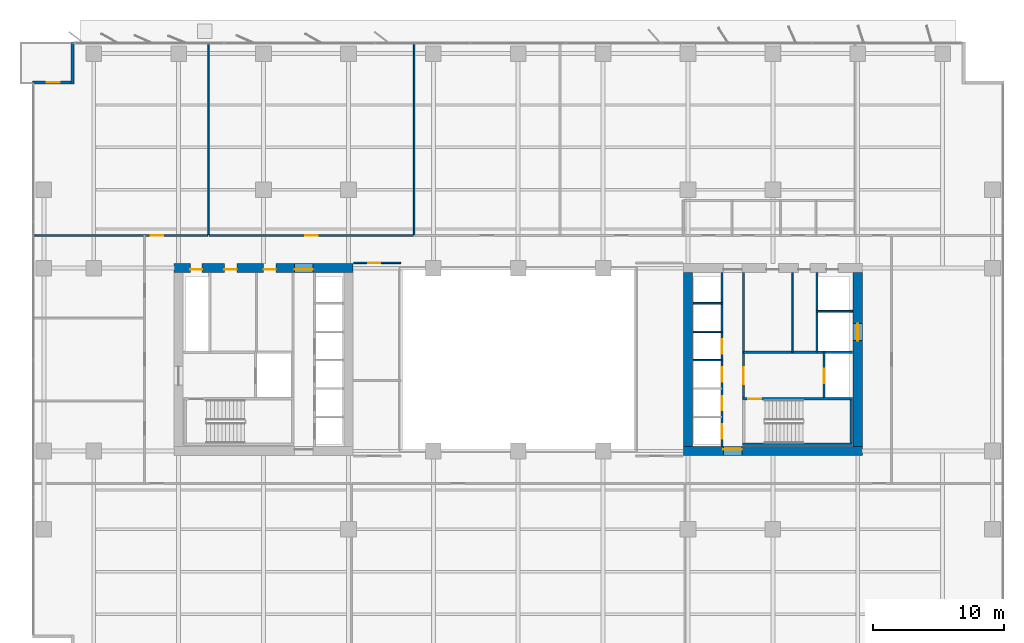
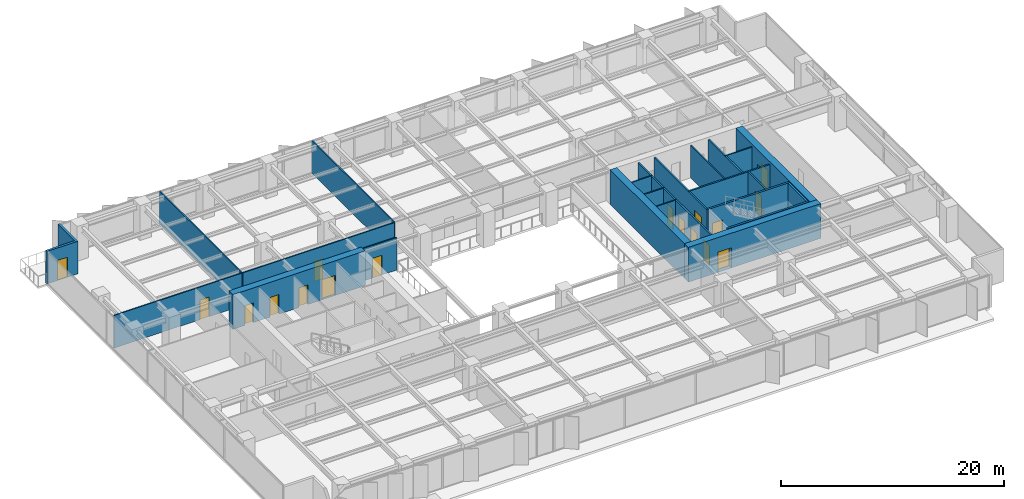
# One storey, part 14 of 19: 24 walls, 17 doors, 17 openings.
"""IFC4 building model written with IfcOpenShell, lengths in metres."""

from ifc_helpers import new_model, si_unit, direction, frame, frame_2d, origin, place, context, subcontext, project, spatial, rectangle, extrude, material, layer, layer_set, type_object, element, fill, save


model = new_model("IFC4")

# Units and contexts
model_context = context("Model", 3, precision=1e-05, world=origin(), true_north=direction((0.0, 1.0)))
body_context = subcontext(model_context, "Body", "Model", "MODEL_VIEW")
ifc_project = project(units=[si_unit("LENGTHUNIT", "METRE"), si_unit("AREAUNIT", "SQUARE_METRE"), si_unit("VOLUMEUNIT", "CUBIC_METRE"), si_unit("PLANEANGLEUNIT", "RADIAN"), si_unit("MASSUNIT", "GRAM", prefix="KILO")], contexts=[model_context])

# Site, building, storey
site_placement = place(None, origin())
site = spatial("IfcSite", under=ifc_project, at=site_placement, CompositionType="ELEMENT")
building_placement = place(site_placement, origin())
building = spatial("IfcBuilding", under=site, at=building_placement, Name="Putna Gate Headquarters", CompositionType="ELEMENT")
storey_placement = place(building_placement, frame((0.0, 0.0, 86.0)))
storey = spatial("IfcBuildingStorey", under=building, at=storey_placement, Name="L20", CompositionType="ELEMENT", Elevation=86.0)

# Wall, openings, doors
ifc_material_1 = material(Name="Concrete C60/75", Category="concrete")
ifc_layer_1 = layer(ifc_material_1, 0.699951171875)
ifc_layer_set_1 = layer_set([ifc_layer_1], Name="Concrete C60/75")
wall_type_1 = type_object("IfcWallType", Name="WALL-CORE-700", PredefinedType="SHEAR", material=ifc_layer_set_1)
wall_1_placement = place(storey_placement, frame((12.64990234375, 33.0, 0.0), z_axis=(0.0, 0.0, 1.0), x_axis=(1.0, 0.0, 0.0)))
wall_1 = element("IfcWall", 1, at=wall_1_placement, inside=storey, type_object=wall_type_1, Name="L20 WC Split Core Shear Wall N", PredefinedType="SHEAR", context=body_context, shape_type="SweptSolid", body=[
    extrude(rectangle(XDim=13.7001953125, YDim=0.699951171875, at=frame_2d((6.85009765625, 0.0))), origin(), (0.0, 0.0, 1.0), 3.800048828125),
])
opening_1_placement = place(wall_1_placement, frame((1.25, 0.0, 0.0)))
opening_1 = element("IfcOpeningElement", 2, at=opening_1_placement, cuts=wall_1, Name="Opening RD-90", PredefinedType="OPENING", context=body_context, shape_type="SweptSolid", body=[
    extrude(rectangle(XDim=0.89990234375, YDim=2.14990234375, at=frame_2d((0.449951171875, 1.074951171875))), frame((0.0, 0.35986328125, 0.0), z_axis=(0.0, -1.0, 0.0), x_axis=(1.0, 0.0, 0.0)), (0.0, 0.0, 1.0), 0.719970703125),
])
opening_2_placement = place(wall_1_placement, frame((3.85009765625, 0.0, 0.0)))
opening_2 = element("IfcOpeningElement", 3, at=opening_2_placement, cuts=wall_1, Name="Opening IDS-95", PredefinedType="OPENING", context=body_context, shape_type="SweptSolid", body=[
    extrude(rectangle(XDim=0.949951171875, YDim=2.14990234375, at=frame_2d((0.47509765625, 1.074951171875))), frame((0.0, 0.35986328125, 0.0), z_axis=(0.0, -1.0, 0.0), x_axis=(1.0, 0.0, 0.0)), (0.0, 0.0, 1.0), 0.719970703125),
])
opening_3_placement = place(wall_1_placement, frame((6.85009765625, 0.0, 0.0)))
opening_3 = element("IfcOpeningElement", 4, at=opening_3_placement, cuts=wall_1, Name="Opening IDS-95", PredefinedType="OPENING", context=body_context, shape_type="SweptSolid", body=[
    extrude(rectangle(XDim=0.949951171875, YDim=2.14990234375, at=frame_2d((0.47509765625, 1.074951171875))), frame((0.0, 0.35986328125, 0.0), z_axis=(0.0, -1.0, 0.0), x_axis=(1.0, 0.0, 0.0)), (0.0, 0.0, 1.0), 0.719970703125),
])
opening_4_placement = place(wall_1_placement, frame((9.22998046875, 0.0, 0.0)))
opening_4 = element("IfcOpeningElement", 5, at=opening_4_placement, cuts=wall_1, Name="Opening FDD-140", PredefinedType="OPENING", context=body_context, shape_type="SweptSolid", body=[
    extrude(rectangle(XDim=1.39990234375, YDim=2.199951171875, at=frame_2d((0.699951171875, 1.10009765625))), frame((0.0, 0.35986328125, 0.0), z_axis=(0.0, -1.0, 0.0), x_axis=(1.0, 0.0, 0.0)), (0.0, 0.0, 1.0), 0.719970703125),
])
ifc_material_2 = material(Name="Double steel fire door", Category="steel")
door_type_1 = type_object("IfcDoorType", Name="DOOR-FIRE-DBL-1400", OperationType="DOUBLE_DOOR_SINGLE_SWING", PredefinedType="DOOR", material=ifc_material_2)
door_1_placement = place(opening_4_placement, origin())
door_1 = element("IfcDoor", 6, at=door_1_placement, inside=storey, type_object=door_type_1, Name="L20 West Lift Lobby North Door", OperationType="DOUBLE_DOOR_SINGLE_SWING", OverallHeight=2.199951171875, OverallWidth=1.39990234375, PredefinedType="DOOR", context=body_context, shape_type="SweptSolid", body=[
    extrude(rectangle(XDim=1.39990234375, YDim=2.199951171875, at=frame_2d((0.699951171875, 1.10009765625))), frame((0.0, -0.0751953125, 0.0), z_axis=(0.0, -1.0, 0.0), x_axis=(1.0, 0.0, 0.0)), (0.0, 0.0, 1.0), 0.050048828125),
])
fill(opening_4, door_1)
ifc_material_3 = material(Name="Fire-rated service timber door", Category="wood")
door_type_2 = type_object("IfcDoorType", Name="DOOR-INT-950", OperationType="NOTDEFINED", PredefinedType="DOOR", material=ifc_material_3)
door_2_placement = place(opening_2_placement, origin())
door_2 = element("IfcDoor", 7, at=door_2_placement, inside=storey, type_object=door_type_2, Name="L20 Cleaner Store Door", OperationType="SINGLE_SWING_LEFT", OverallHeight=2.14990234375, OverallWidth=0.949951171875, PredefinedType="DOOR", context=body_context, shape_type="SweptSolid", body=[
    extrude(rectangle(XDim=0.949951171875, YDim=2.14990234375, at=frame_2d((0.47509765625, 1.074951171875))), frame((0.0, -0.0751953125, 0.0), z_axis=(0.0, -1.0, 0.0), x_axis=(1.0, 0.0, 0.0)), (0.0, 0.0, 1.0), 0.050048828125),
])
fill(opening_2, door_2)
door_3_placement = place(opening_3_placement, origin())
door_3 = element("IfcDoor", 8, at=door_3_placement, inside=storey, type_object=door_type_2, Name="L20 Comms Plant Door", OperationType="SINGLE_SWING_RIGHT", OverallHeight=2.14990234375, OverallWidth=0.949951171875, PredefinedType="DOOR", context=body_context, shape_type="SweptSolid", body=[
    extrude(rectangle(XDim=0.949951171875, YDim=2.14990234375, at=frame_2d((0.47509765625, 1.074951171875))), frame((0.0, -0.0751953125, 0.0), z_axis=(0.0, -1.0, 0.0), x_axis=(1.0, 0.0, 0.0)), (0.0, 0.0, 1.0), 0.050048828125),
])
fill(opening_3, door_3)
ifc_material_4 = material(Name="Steel riser access fire door", Category="steel")
door_type_3 = type_object("IfcDoorType", Name="DOOR-RISER-900", OperationType="NOTDEFINED", PredefinedType="DOOR", material=ifc_material_4)
door_4_placement = place(opening_1_placement, origin())
door_4 = element("IfcDoor", 9, at=door_4_placement, inside=storey, type_object=door_type_3, Name="L20 West Riser Access Door", OperationType="SINGLE_SWING_RIGHT", OverallHeight=2.14990234375, OverallWidth=0.89990234375, PredefinedType="DOOR", context=body_context, shape_type="SweptSolid", body=[
    extrude(rectangle(XDim=0.89990234375, YDim=2.14990234375, at=frame_2d((0.449951171875, 1.074951171875))), frame((0.0, -0.0751953125, 0.0), z_axis=(0.0, -1.0, 0.0), x_axis=(1.0, 0.0, 0.0)), (0.0, 0.0, 1.0), 0.050048828125),
])
fill(opening_1, door_4)

# Wall, opening, door
wall_2_placement = place(storey_placement, frame((51.64990234375, 19.0, 0.0), z_axis=(0.0, 0.0, 1.0), x_axis=(1.0, 0.0, 0.0)))
wall_2 = element("IfcWall", 10, at=wall_2_placement, inside=storey, type_object=wall_type_1, Name="L20 EC Split Core Shear Wall S", PredefinedType="SHEAR", context=body_context, shape_type="SweptSolid", body=[
    extrude(rectangle(XDim=13.7001953125, YDim=0.699951171875, at=frame_2d((6.85009765625, 0.0))), origin(), (0.0, 0.0, 1.0), 3.800048828125),
])
opening_5_placement = place(wall_2_placement, frame((3.070068359375, 0.0, 0.0)))
opening_5 = element("IfcOpeningElement", 11, at=opening_5_placement, cuts=wall_2, Name="Opening FDD-140", PredefinedType="OPENING", context=body_context, shape_type="SweptSolid", body=[
    extrude(rectangle(XDim=1.39990234375, YDim=2.199951171875, at=frame_2d((0.699951171875, 1.10009765625))), frame((0.0, 0.35986328125, 0.0), z_axis=(0.0, -1.0, 0.0), x_axis=(1.0, 0.0, 0.0)), (0.0, 0.0, 1.0), 0.719970703125),
])
door_5_placement = place(opening_5_placement, origin())
door_5 = element("IfcDoor", 12, at=door_5_placement, inside=storey, type_object=door_type_1, Name="L20 East Lift Lobby South Door", OperationType="DOUBLE_DOOR_SINGLE_SWING", OverallHeight=2.199951171875, OverallWidth=1.39990234375, PredefinedType="DOOR", context=body_context, shape_type="SweptSolid", body=[
    extrude(rectangle(XDim=1.39990234375, YDim=2.199951171875, at=frame_2d((0.699951171875, 1.10009765625))), frame((0.0, 0.125, 0.0), z_axis=(0.0, -1.0, 0.0), x_axis=(1.0, 0.0, 0.0)), (0.0, 0.0, 1.0), 0.050048828125),
])
fill(opening_5, door_5)

# Wall
wall_3_placement = place(storey_placement, frame((52.0, 19.35009765625, 0.0), z_axis=(0.0, 0.0, 1.0), x_axis=(0.0, 1.0, 0.0)))
element("IfcWall", 13, at=wall_3_placement, inside=storey, type_object=wall_type_1, Name="L20 EC Split Core Shear Wall W", PredefinedType="SHEAR", context=body_context, shape_type="SweptSolid", body=[
    extrude(rectangle(XDim=13.2998046875, YDim=0.699951171875, at=frame_2d((6.64990234375, 0.0))), origin(), (0.0, 0.0, 1.0), 3.800048828125),
])

# Wall, opening, door
wall_4_placement = place(storey_placement, frame((65.0, 19.35009765625, 0.0), z_axis=(0.0, 0.0, 1.0), x_axis=(0.0, 1.0, 0.0)))
wall_4 = element("IfcWall", 14, at=wall_4_placement, inside=storey, type_object=wall_type_1, Name="L20 EC Split Core Shear Wall E", PredefinedType="SHEAR", context=body_context, shape_type="SweptSolid", body=[
    extrude(rectangle(XDim=13.2998046875, YDim=0.699951171875, at=frame_2d((6.64990234375, 0.0))), origin(), (0.0, 0.0, 1.0), 3.800048828125),
])
opening_6_placement = place(wall_4_placement, frame((8.10009765625, 0.0, 0.0)))
opening_6 = element("IfcOpeningElement", 15, at=opening_6_placement, cuts=wall_4, Name="Opening LD-2", PredefinedType="OPENING", context=body_context, shape_type="SweptSolid", body=[
    extrude(rectangle(XDim=1.300048828125, YDim=2.199951171875, at=frame_2d((0.64990234375, 1.10009765625))), frame((0.0, 0.35986328125, 0.0), z_axis=(0.0, -1.0, 0.0), x_axis=(1.0, 0.0, 0.0)), (0.0, 0.0, 1.0), 0.719970703125),
])
ifc_material_5 = material(Name="Heavy-duty goods lift sliding landing door")
door_type_4 = type_object("IfcDoorType", Name="DOOR-LIFT-1300", OperationType="DOUBLE_DOOR_SLIDING", PredefinedType="DOOR", material=ifc_material_5)
door_6_placement = place(opening_6_placement, origin())
door_6 = element("IfcDoor", 16, at=door_6_placement, inside=storey, type_object=door_type_4, Name="L20 Goods Lift Landing Door LD-15", OperationType="DOUBLE_DOOR_SLIDING", OverallHeight=2.199951171875, OverallWidth=1.300048828125, PredefinedType="DOOR", context=body_context, shape_type="SweptSolid", body=[
    extrude(rectangle(XDim=1.300048828125, YDim=2.199951171875, at=frame_2d((0.64990234375, 1.10009765625))), frame((0.0, 0.02490234375, 0.0), z_axis=(0.0, -1.0, 0.0), x_axis=(1.0, 0.0, 0.0)), (0.0, 0.0, 1.0), 0.050048828125),
])
fill(opening_6, door_6)

# Wall
ifc_material_6 = material(Name="Precast concrete C40/50", Category="concrete")
ifc_layer_2 = layer(ifc_material_6, 0.239990234375)
ifc_layer_set_2 = layer_set([ifc_layer_2], Name="Precast concrete C40/50")
wall_type_2 = type_object("IfcWallType", Name="WALL-EXT-TERR-240", PredefinedType="STANDARD", material=ifc_layer_set_2)
wall_5_placement = place(storey_placement, frame((4.8798828125, 47.10009765625, 0.0), z_axis=(0.0, 0.0, 1.0), x_axis=(0.0, 1.0, 0.0)))
element("IfcWall", 17, at=wall_5_placement, inside=storey, type_object=wall_type_2, Name="L20 Corner Notch Return Wall NW-V", PredefinedType="STANDARD", context=body_context, shape_type="SweptSolid", body=[
    extrude(rectangle(XDim=3.199951171875, YDim=0.239990234375, at=frame_2d((1.60009765625, 0.0))), origin(), (0.0, 0.0, 1.0), 3.56494140625),
])

# Wall, opening, door
wall_6_placement = place(storey_placement, frame((1.800048828125, 47.219970703125, 0.0), z_axis=(0.0, 0.0, 1.0), x_axis=(1.0, 0.0, 0.0)))
wall_6 = element("IfcWall", 18, at=wall_6_placement, inside=storey, type_object=wall_type_2, Name="L20 Corner Notch Return Wall NW-H", PredefinedType="STANDARD", context=body_context, shape_type="SweptSolid", body=[
    extrude(rectangle(XDim=3.199951171875, YDim=0.239990234375, at=frame_2d((1.60009765625, 0.0))), origin(), (0.0, 0.0, 1.0), 3.56494140625),
])
opening_7_placement = place(wall_6_placement, frame((1.10009765625, 0.0, 0.0)))
opening_7 = element("IfcOpeningElement", 19, at=opening_7_placement, cuts=wall_6, Name="Opening TRD-1", PredefinedType="OPENING", context=body_context, shape_type="SweptSolid", body=[
    extrude(rectangle(XDim=1.0, YDim=2.199951171875, at=frame_2d((0.5, 1.10009765625))), frame((0.0, 0.1298828125, 0.0), z_axis=(0.0, -1.0, 0.0), x_axis=(1.0, 0.0, 0.0)), (0.0, 0.0, 1.0), 0.260009765625),
])
ifc_material_7 = material(Name="Thermally broken bronze glazed terrace door")
door_type_5 = type_object("IfcDoorType", Name="DOOR-TERR-EXT-1000", OperationType="NOTDEFINED", PredefinedType="DOOR", material=ifc_material_7)
door_7_placement = place(opening_7_placement, origin())
door_7 = element("IfcDoor", 20, at=door_7_placement, inside=storey, type_object=door_type_5, Name="L20 Spiral Sky Terrace Door NW", OperationType="SINGLE_SWING_RIGHT", OverallHeight=2.199951171875, OverallWidth=1.0, PredefinedType="DOOR", context=body_context, shape_type="SweptSolid", body=[
    extrude(rectangle(XDim=1.0, YDim=2.199951171875, at=frame_2d((0.5, 1.10009765625))), frame((0.0, 0.02490234375, 0.0), z_axis=(0.0, -1.0, 0.0), x_axis=(1.0, 0.0, 0.0)), (0.0, 0.0, 1.0), 0.050048828125),
])
fill(opening_7, door_7)

ifc_material_8 = material(Name="Acoustic gypsum board on metal stud")
ifc_layer_3 = layer(ifc_material_8, 0.1201171875)
ifc_layer_set_3 = layer_set([ifc_layer_3], Name="Acoustic gypsum board on metal stud")
wall_type_3 = type_object("IfcWallType", Name="WALL-PART-120", PredefinedType="PARTITIONING", material=ifc_layer_set_3)
wall_7_placement = place(storey_placement, frame((26.39990234375, 33.39990234375, 0.0), z_axis=(0.0, 0.0, 1.0), x_axis=(1.0, 0.0, 0.0)))
wall_7 = element("IfcWall", 21, at=wall_7_placement, inside=storey, type_object=wall_type_3, Name="L20 Interior Wall PART-L20-ATR-W-N", PredefinedType="PARTITIONING", context=body_context, shape_type="SweptSolid", body=[
    extrude(rectangle(XDim=3.60009765625, YDim=0.1201171875, at=frame_2d((1.800048828125, 0.0))), origin(), (0.0, 0.0, 1.0), 3.56494140625),
])
opening_8_placement = place(wall_7_placement, frame((1.10009765625, 0.0, 0.0)))
opening_8 = element("IfcOpeningElement", 22, at=opening_8_placement, cuts=wall_7, Name="Opening ID-95", PredefinedType="OPENING", context=body_context, shape_type="SweptSolid", body=[
    extrude(rectangle(XDim=0.949951171875, YDim=2.14990234375, at=frame_2d((0.47509765625, 1.074951171875))), frame((0.0, 0.070068359375, 0.0), z_axis=(0.0, -1.0, 0.0), x_axis=(1.0, 0.0, 0.0)), (0.0, 0.0, 1.0), 0.14013671875),
])
ifc_material_9 = material(Name="Veneered acoustic timber door", Category="wood")
door_type_6 = type_object("IfcDoorType", Name="DOOR-OFF-950", OperationType="NOTDEFINED", PredefinedType="DOOR", material=ifc_material_9)
door_8_placement = place(opening_8_placement, origin())
door_8 = element("IfcDoor", 23, at=door_8_placement, inside=storey, type_object=door_type_6, Name="L20 West Atrium North Study Door", OperationType="SINGLE_SWING_RIGHT", OverallHeight=2.14990234375, OverallWidth=0.949951171875, PredefinedType="DOOR", context=body_context, shape_type="SweptSolid", body=[
    extrude(rectangle(XDim=0.949951171875, YDim=2.14990234375, at=frame_2d((0.47509765625, 1.074951171875))), frame((0.0, 0.02490234375, 0.0), z_axis=(0.0, -1.0, 0.0), x_axis=(1.0, 0.0, 0.0)), (0.0, 0.0, 1.0), 0.050048828125),
])
fill(opening_8, door_8)

# Walls
for number, where, z_axis, x_axis, name in (
    (24, (15.277099609375, 35.56005859375, 0.0), (0.0, 0.0, 1.0), (0.0, 1.0, 0.0), "L20 Interior Wall PART-L20-NB-DIV-01"),
    (25, (31.036865234375, 35.56005859375, 0.0), (0.0, 0.0, 1.0), (0.0, 1.0, 0.0), "L20 Interior Wall PART-L20-NB-DIV-02"),
):
    element("IfcWall", number, at=place(storey_placement, frame(where, z_axis=z_axis, x_axis=x_axis)), inside=storey, type_object=wall_type_3, Name=name, PredefinedType="PARTITIONING", context=body_context, shape_type="SweptSolid", body=[
        extrude(rectangle(XDim=14.719970703125, YDim=0.1201171875, at=frame_2d((7.35986328125, 0.0))), origin(), (0.0, 0.0, 1.0), 3.56494140625),
    ])
ifc_material_10 = material(Name="Fire-rated shaftwall gypsum board on metal stud")
ifc_layer_4 = layer(ifc_material_10, 0.1201171875)
ifc_layer_set_4 = layer_set([ifc_layer_4], Name="Fire-rated shaftwall gypsum board on metal stud")
wall_type_4 = type_object("IfcWallType", Name="WALL-PART-120-EI120", PredefinedType="PARTITIONING", material=ifc_layer_set_4)
for number, where, z_axis, x_axis, name in (
    (26, (52.39990234375, 25.949951171875, 0.0), (0.0, 0.0, 1.0), (1.0, 0.0, 0.0), "L20 Interior Wall CWINT-L20-EC-LF07-DIV"),
    (27, (52.39990234375, 28.1201171875, 0.0), (0.0, 0.0, 1.0), (1.0, 0.0, 0.0), "L20 Interior Wall CWINT-L20-EC-LF08-DIV"),
    (28, (52.39990234375, 30.31005859375, 0.0), (0.0, 0.0, 1.0), (1.0, 0.0, 0.0), "L20 Interior Wall CWINT-L20-EC-LF11-DIV"),
):
    element("IfcWall", number, at=place(storey_placement, frame(where, z_axis=z_axis, x_axis=x_axis)), inside=storey, type_object=wall_type_4, Name=name, PredefinedType="PARTITIONING", context=body_context, shape_type="SweptSolid", body=[
        extrude(rectangle(XDim=2.2001953125, YDim=0.1201171875, at=frame_2d((1.10009765625, 0.0))), origin(), (0.0, 0.0, 1.0), 3.56494140625),
    ])
wall_8_placement = place(storey_placement, frame((61.8701171875, 29.699951171875, 0.0), z_axis=(0.0, 0.0, 1.0), x_axis=(1.0, 0.0, 0.0)))
element("IfcWall", 29, at=wall_8_placement, inside=storey, type_object=wall_type_4, Name="L20 Interior Wall CWINT-L20-EC-LF15-N", PredefinedType="PARTITIONING", context=body_context, shape_type="SweptSolid", body=[
    extrude(rectangle(XDim=2.72998046875, YDim=0.1201171875, at=frame_2d((1.364990234375, 0.0))), origin(), (0.0, 0.0, 1.0), 3.56494140625),
])
ifc_material_11 = material(Name="Fire-rated gypsum board on metal stud")
ifc_layer_5 = layer(ifc_material_11, 0.1201171875)
ifc_layer_set_5 = layer_set([ifc_layer_5], Name="Fire-rated gypsum board on metal stud")
wall_type_5 = type_object("IfcWallType", Name="WALL-PART-120-RATED", PredefinedType="PARTITIONING", material=ifc_layer_set_5)
wall_9_placement = place(storey_placement, frame((60.02001953125, 26.56005859375, 0.0), z_axis=(0.0, 0.0, 1.0), x_axis=(0.0, 1.0, 0.0)))
element("IfcWall", 30, at=wall_9_placement, inside=storey, type_object=wall_type_5, Name="L20 Interior Wall CWINT-L20-EC-K0-DIV", PredefinedType="PARTITIONING", context=body_context, shape_type="SweptSolid", body=[
    extrude(rectangle(XDim=6.08984375, YDim=0.1201171875, at=frame_2d((3.044921875, 0.0))), origin(), (0.0, 0.0, 1.0), 3.56494140625),
])

# Wall, opening, door
wall_10_placement = place(storey_placement, frame((1.97998046875, 35.5, 0.0), z_axis=(0.0, 0.0, 1.0), x_axis=(1.0, 0.0, 0.0)))
wall_10 = element("IfcWall", 31, at=wall_10_placement, inside=storey, type_object=wall_type_5, Name="L20 Interior Wall PART-L20-NB-CW-01", PredefinedType="PARTITIONING", context=body_context, shape_type="SweptSolid", body=[
    extrude(rectangle(XDim=13.2373046875, YDim=0.1201171875, at=frame_2d((6.61865234375, 0.0))), origin(), (0.0, 0.0, 1.0), 3.56494140625),
])
opening_9_placement = place(wall_10_placement, frame((8.89990234375, 0.0, 0.0)))
opening_9 = element("IfcOpeningElement", 32, at=opening_9_placement, cuts=wall_10, Name="Opening FD-95", PredefinedType="OPENING", context=body_context, shape_type="SweptSolid", body=[
    extrude(rectangle(XDim=0.949951171875, YDim=2.14990234375, at=frame_2d((0.47509765625, 1.074951171875))), frame((0.0, 0.070068359375, 0.0), z_axis=(0.0, -1.0, 0.0), x_axis=(1.0, 0.0, 0.0)), (0.0, 0.0, 1.0), 0.14013671875),
])
ifc_material_12 = material(Name="Acoustic timber fire door", Category="wood")
door_type_7 = type_object("IfcDoorType", Name="DOOR-FIRE-950", OperationType="NOTDEFINED", PredefinedType="DOOR", material=ifc_material_12)
door_9_placement = place(opening_9_placement, origin())
door_9 = element("IfcDoor", 33, at=door_9_placement, inside=storey, type_object=door_type_7, Name="L20 Conference Meeting Room 1 Door", OperationType="SINGLE_SWING_RIGHT", OverallHeight=2.14990234375, OverallWidth=0.949951171875, PredefinedType="DOOR", context=body_context, shape_type="SweptSolid", body=[
    extrude(rectangle(XDim=0.949951171875, YDim=2.14990234375, at=frame_2d((0.47509765625, 1.074951171875))), frame((0.0, 0.02490234375, 0.0), z_axis=(0.0, -1.0, 0.0), x_axis=(1.0, 0.0, 0.0)), (0.0, 0.0, 1.0), 0.050048828125),
])
fill(opening_9, door_9)

wall_11_placement = place(storey_placement, frame((15.337158203125, 35.5, 0.0), z_axis=(0.0, 0.0, 1.0), x_axis=(1.0, 0.0, 0.0)))
wall_11 = element("IfcWall", 34, at=wall_11_placement, inside=storey, type_object=wall_type_5, Name="L20 Interior Wall PART-L20-NB-CW-02", PredefinedType="PARTITIONING", context=body_context, shape_type="SweptSolid", body=[
    extrude(rectangle(XDim=15.6396484375, YDim=0.1201171875, at=frame_2d((7.81982421875, 0.0))), origin(), (0.0, 0.0, 1.0), 3.56494140625),
])
opening_10_placement = place(wall_11_placement, frame((7.344970703125, 0.0, 0.0)))
opening_10 = element("IfcOpeningElement", 35, at=opening_10_placement, cuts=wall_11, Name="Opening FD-95", PredefinedType="OPENING", context=body_context, shape_type="SweptSolid", body=[
    extrude(rectangle(XDim=0.949951171875, YDim=2.14990234375, at=frame_2d((0.47509765625, 1.074951171875))), frame((0.0, 0.070068359375, 0.0), z_axis=(0.0, -1.0, 0.0), x_axis=(1.0, 0.0, 0.0)), (0.0, 0.0, 1.0), 0.14013671875),
])
door_10_placement = place(opening_10_placement, origin())
door_10 = element("IfcDoor", 36, at=door_10_placement, inside=storey, type_object=door_type_7, Name="L20 Quiet Wellness Focus Studio 1 Door", OperationType="SINGLE_SWING_LEFT", OverallHeight=2.14990234375, OverallWidth=0.949951171875, PredefinedType="DOOR", context=body_context, shape_type="SweptSolid", body=[
    extrude(rectangle(XDim=0.949951171875, YDim=2.14990234375, at=frame_2d((0.47509765625, 1.074951171875))), frame((0.0, 0.02490234375, 0.0), z_axis=(0.0, -1.0, 0.0), x_axis=(1.0, 0.0, 0.0)), (0.0, 0.0, 1.0), 0.050048828125),
])
fill(opening_10, door_10)

# Wall, openings, doors
ifc_material_13 = material(Name="Concrete C40/50", Category="concrete")
ifc_layer_6 = layer(ifc_material_13, 0.159912109375)
ifc_layer_set_6 = layer_set([ifc_layer_6], Name="Concrete C40/50")
wall_type_6 = type_object("IfcWallType", Name="WALL-SHAFT-160", PredefinedType="STANDARD", material=ifc_layer_set_6)
wall_12_placement = place(storey_placement, frame((54.60009765625, 19.35009765625, 0.0), z_axis=(0.0, 0.0, 1.0), x_axis=(0.0, 1.0, 0.0)))
wall_12 = element("IfcWall", 37, at=wall_12_placement, inside=storey, type_object=wall_type_6, Name="L20 Interior Wall CWINT-L20-EC-PL-WALL", PredefinedType="STANDARD", context=body_context, shape_type="SweptSolid", body=[
    extrude(rectangle(XDim=13.2998046875, YDim=0.159912109375, at=frame_2d((6.64990234375, 0.0))), origin(), (0.0, 0.0, 1.0), 3.56494140625),
])
opening_11_placement = place(wall_12_placement, frame((0.60009765625, 0.0, 0.0)))
opening_11 = element("IfcOpeningElement", 38, at=opening_11_placement, cuts=wall_12, Name="Opening LD-1", PredefinedType="OPENING", context=body_context, shape_type="SweptSolid", body=[
    extrude(rectangle(XDim=1.10009765625, YDim=2.199951171875, at=frame_2d((0.550048828125, 1.10009765625))), frame((0.0, 0.08984375, 0.0), z_axis=(0.0, -1.0, 0.0), x_axis=(1.0, 0.0, 0.0)), (0.0, 0.0, 1.0), 0.179931640625),
])
opening_12_placement = place(wall_12_placement, frame((2.75, 0.0, 0.0)))
opening_12 = element("IfcOpeningElement", 39, at=opening_12_placement, cuts=wall_12, Name="Opening LD-1", PredefinedType="OPENING", context=body_context, shape_type="SweptSolid", body=[
    extrude(rectangle(XDim=1.10009765625, YDim=2.199951171875, at=frame_2d((0.550048828125, 1.10009765625))), frame((0.0, 0.08984375, 0.0), z_axis=(0.0, -1.0, 0.0), x_axis=(1.0, 0.0, 0.0)), (0.0, 0.0, 1.0), 0.179931640625),
])
opening_13_placement = place(wall_12_placement, frame((4.949951171875, 0.0, 0.0)))
opening_13 = element("IfcOpeningElement", 40, at=opening_13_placement, cuts=wall_12, Name="Opening LD-1", PredefinedType="OPENING", context=body_context, shape_type="SweptSolid", body=[
    extrude(rectangle(XDim=1.10009765625, YDim=2.199951171875, at=frame_2d((0.550048828125, 1.10009765625))), frame((0.0, 0.08984375, 0.0), z_axis=(0.0, -1.0, 0.0), x_axis=(1.0, 0.0, 0.0)), (0.0, 0.0, 1.0), 0.179931640625),
])
opening_14_placement = place(wall_12_placement, frame((7.10009765625, 0.0, 0.0)))
opening_14 = element("IfcOpeningElement", 41, at=opening_14_placement, cuts=wall_12, Name="Opening LD-1", PredefinedType="OPENING", context=body_context, shape_type="SweptSolid", body=[
    extrude(rectangle(XDim=1.10009765625, YDim=2.199951171875, at=frame_2d((0.550048828125, 1.10009765625))), frame((0.0, 0.08984375, 0.0), z_axis=(0.0, -1.0, 0.0), x_axis=(1.0, 0.0, 0.0)), (0.0, 0.0, 1.0), 0.179931640625),
])
ifc_material_14 = material(Name="Brushed bronze stainless lift landing door")
door_type_8 = type_object("IfcDoorType", Name="DOOR-LIFT-1100", OperationType="DOUBLE_DOOR_SLIDING", PredefinedType="DOOR", material=ifc_material_14)
door_11_placement = place(opening_11_placement, origin())
door_11 = element("IfcDoor", 42, at=door_11_placement, inside=storey, type_object=door_type_8, Name="L20 Lift Landing Door LD-03", OperationType="DOUBLE_DOOR_SLIDING", OverallHeight=2.199951171875, OverallWidth=1.10009765625, PredefinedType="DOOR", context=body_context, shape_type="SweptSolid", body=[
    extrude(rectangle(XDim=1.10009765625, YDim=2.199951171875, at=frame_2d((0.550048828125, 1.10009765625))), frame((0.0, 0.02490234375, 0.0), z_axis=(0.0, -1.0, 0.0), x_axis=(1.0, 0.0, 0.0)), (0.0, 0.0, 1.0), 0.050048828125),
])
fill(opening_11, door_11)
door_12_placement = place(opening_12_placement, origin())
door_12 = element("IfcDoor", 43, at=door_12_placement, inside=storey, type_object=door_type_8, Name="L20 Lift Landing Door LD-04", OperationType="DOUBLE_DOOR_SLIDING", OverallHeight=2.199951171875, OverallWidth=1.10009765625, PredefinedType="DOOR", context=body_context, shape_type="SweptSolid", body=[
    extrude(rectangle(XDim=1.10009765625, YDim=2.199951171875, at=frame_2d((0.550048828125, 1.10009765625))), frame((0.0, 0.02490234375, 0.0), z_axis=(0.0, -1.0, 0.0), x_axis=(1.0, 0.0, 0.0)), (0.0, 0.0, 1.0), 0.050048828125),
])
fill(opening_12, door_12)
door_13_placement = place(opening_13_placement, origin())
door_13 = element("IfcDoor", 44, at=door_13_placement, inside=storey, type_object=door_type_8, Name="L20 Lift Landing Door LD-07", OperationType="DOUBLE_DOOR_SLIDING", OverallHeight=2.199951171875, OverallWidth=1.10009765625, PredefinedType="DOOR", context=body_context, shape_type="SweptSolid", body=[
    extrude(rectangle(XDim=1.10009765625, YDim=2.199951171875, at=frame_2d((0.550048828125, 1.10009765625))), frame((0.0, 0.02490234375, 0.0), z_axis=(0.0, -1.0, 0.0), x_axis=(1.0, 0.0, 0.0)), (0.0, 0.0, 1.0), 0.050048828125),
])
fill(opening_13, door_13)
door_14_placement = place(opening_14_placement, origin())
door_14 = element("IfcDoor", 45, at=door_14_placement, inside=storey, type_object=door_type_8, Name="L20 Lift Landing Door LD-08", OperationType="DOUBLE_DOOR_SLIDING", OverallHeight=2.199951171875, OverallWidth=1.10009765625, PredefinedType="DOOR", context=body_context, shape_type="SweptSolid", body=[
    extrude(rectangle(XDim=1.10009765625, YDim=2.199951171875, at=frame_2d((0.550048828125, 1.10009765625))), frame((0.0, 0.02490234375, 0.0), z_axis=(0.0, -1.0, 0.0), x_axis=(1.0, 0.0, 0.0)), (0.0, 0.0, 1.0), 0.050048828125),
])
fill(opening_14, door_14)

# Wall, opening, door
wall_13_placement = place(storey_placement, frame((56.260009765625, 23.090087890625, 0.0), z_axis=(0.0, 0.0, 1.0), x_axis=(0.0, 1.0, 0.0)))
wall_13 = element("IfcWall", 46, at=wall_13_placement, inside=storey, type_object=wall_type_6, Name="L20 Interior Wall CWINT-L20-EC-LOB-E", PredefinedType="STANDARD", context=body_context, shape_type="SweptSolid", body=[
    extrude(rectangle(XDim=9.559814453125, YDim=0.159912109375, at=frame_2d((4.77978515625, 0.0))), origin(), (0.0, 0.0, 1.0), 3.56494140625),
])
opening_15_placement = place(wall_13_placement, frame((1.010009765625, 0.0, 0.0)))
opening_15 = element("IfcOpeningElement", 47, at=opening_15_placement, cuts=wall_13, Name="Opening FDD-130", PredefinedType="OPENING", context=body_context, shape_type="SweptSolid", body=[
    extrude(rectangle(XDim=1.300048828125, YDim=2.199951171875, at=frame_2d((0.64990234375, 1.10009765625))), frame((0.0, 0.08984375, 0.0), z_axis=(0.0, -1.0, 0.0), x_axis=(1.0, 0.0, 0.0)), (0.0, 0.0, 1.0), 0.179931640625),
])
ifc_material_15 = material(Name="Double steel lobby fire door", Category="steel")
door_type_9 = type_object("IfcDoorType", Name="DOOR-FIRE-DBL-1300", OperationType="DOUBLE_DOOR_SINGLE_SWING", PredefinedType="DOOR", material=ifc_material_15)
door_15_placement = place(opening_15_placement, origin())
door_15 = element("IfcDoor", 48, at=door_15_placement, inside=storey, type_object=door_type_9, Name="L20 East Firefighting Lobby Door", OperationType="DOUBLE_DOOR_SINGLE_SWING", OverallHeight=2.199951171875, OverallWidth=1.300048828125, PredefinedType="DOOR", context=body_context, shape_type="SweptSolid", body=[
    extrude(rectangle(XDim=1.300048828125, YDim=2.199951171875, at=frame_2d((0.64990234375, 1.10009765625))), frame((0.0, 0.02490234375, 0.0), z_axis=(0.0, -1.0, 0.0), x_axis=(1.0, 0.0, 0.0)), (0.0, 0.0, 1.0), 0.050048828125),
])
fill(opening_15, door_15)

wall_14_placement = place(storey_placement, frame((62.429931640625, 23.090087890625, 0.0), z_axis=(0.0, 0.0, 1.0), x_axis=(0.0, 1.0, 0.0)))
wall_14 = element("IfcWall", 49, at=wall_14_placement, inside=storey, type_object=wall_type_6, Name="L20 Interior Wall CWINT-L20-EC-LF14-W", PredefinedType="STANDARD", context=body_context, shape_type="SweptSolid", body=[
    extrude(rectangle(XDim=3.469970703125, YDim=0.159912109375, at=frame_2d((1.73486328125, 0.0))), origin(), (0.0, 0.0, 1.0), 3.56494140625),
])
opening_16_placement = place(wall_14_placement, frame((1.10009765625, 0.0, 0.0)))
opening_16 = element("IfcOpeningElement", 50, at=opening_16_placement, cuts=wall_14, Name="Opening LD-1", PredefinedType="OPENING", context=body_context, shape_type="SweptSolid", body=[
    extrude(rectangle(XDim=1.10009765625, YDim=2.199951171875, at=frame_2d((0.550048828125, 1.10009765625))), frame((0.0, 0.08984375, 0.0), z_axis=(0.0, -1.0, 0.0), x_axis=(1.0, 0.0, 0.0)), (0.0, 0.0, 1.0), 0.179931640625),
])
door_16_placement = place(opening_16_placement, origin())
door_16 = element("IfcDoor", 51, at=door_16_placement, inside=storey, type_object=door_type_8, Name="L20 Lift Landing Door LD-14", OperationType="DOUBLE_DOOR_SLIDING", OverallHeight=2.199951171875, OverallWidth=1.10009765625, PredefinedType="DOOR", context=body_context, shape_type="SweptSolid", body=[
    extrude(rectangle(XDim=1.10009765625, YDim=2.199951171875, at=frame_2d((0.550048828125, 1.10009765625))), frame((0.0, 0.02490234375, 0.0), z_axis=(0.0, -1.0, 0.0), x_axis=(1.0, 0.0, 0.0)), (0.0, 0.0, 1.0), 0.050048828125),
])
fill(opening_16, door_16)

# Walls
wall_15_placement = place(storey_placement, frame((56.260009765625, 26.56005859375, 0.0), z_axis=(0.0, 0.0, 1.0), x_axis=(1.0, 0.0, 0.0)))
element("IfcWall", 52, at=wall_15_placement, inside=storey, type_object=wall_type_6, Name="L20 Interior Wall CWINT-L20-EC-FFL-N", PredefinedType="STANDARD", context=body_context, shape_type="SweptSolid", body=[
    extrude(rectangle(XDim=8.340087890625, YDim=0.159912109375, at=frame_2d((4.169921875, 0.0))), origin(), (0.0, 0.0, 1.0), 3.56494140625),
])
wall_16_placement = place(storey_placement, frame((61.8701171875, 26.56005859375, 0.0), z_axis=(0.0, 0.0, 1.0), x_axis=(0.0, 1.0, 0.0)))
element("IfcWall", 53, at=wall_16_placement, inside=storey, type_object=wall_type_6, Name="L20 Interior Wall CWINT-L20-EC-LF15-W", PredefinedType="STANDARD", context=body_context, shape_type="SweptSolid", body=[
    extrude(rectangle(XDim=6.08984375, YDim=0.159912109375, at=frame_2d((3.044921875, 0.0))), origin(), (0.0, 0.0, 1.0), 3.56494140625),
])
ifc_layer_7 = layer(ifc_material_13, 0.199951171875)
ifc_layer_set_7 = layer_set([ifc_layer_7], Name="Concrete C40/50")
wall_type_7 = type_object("IfcWallType", Name="WALL-SHAFT-RC200", PredefinedType="SHEAR", material=ifc_layer_set_7)
wall_17_placement = place(storey_placement, frame((56.159912109375, 19.510009765625, 0.0), z_axis=(0.0, 0.0, 1.0), x_axis=(1.0, 0.0, 0.0)))
element("IfcWall", 54, at=wall_17_placement, inside=storey, type_object=wall_type_7, Name="L20 Stair ST2 Structural Shaft Wall S", PredefinedType="SHEAR", context=body_context, shape_type="SweptSolid", body=[
    extrude(rectangle(XDim=8.43017578125, YDim=0.199951171875, at=frame_2d((4.215087890625, 0.0))), origin(), (0.0, 0.0, 1.0), 3.800048828125),
])

# Wall, opening, door
wall_18_placement = place(storey_placement, frame((56.159912109375, 22.989990234375, 0.0), z_axis=(0.0, 0.0, 1.0), x_axis=(1.0, 0.0, 0.0)))
wall_18 = element("IfcWall", 55, at=wall_18_placement, inside=storey, type_object=wall_type_7, Name="L20 Stair ST2 Structural Shaft Wall N", PredefinedType="SHEAR", context=body_context, shape_type="SweptSolid", body=[
    extrude(rectangle(XDim=8.43017578125, YDim=0.199951171875, at=frame_2d((4.215087890625, 0.0))), origin(), (0.0, 0.0, 1.0), 3.800048828125),
])
opening_17_placement = place(wall_18_placement, frame((0.449951171875, 0.0, 0.0)))
opening_17 = element("IfcOpeningElement", 56, at=opening_17_placement, cuts=wall_18, Name="Opening FD-100", PredefinedType="OPENING", context=body_context, shape_type="SweptSolid", body=[
    extrude(rectangle(XDim=1.0, YDim=2.14990234375, at=frame_2d((0.5, 1.074951171875))), frame((0.0, 0.10986328125, 0.0), z_axis=(0.0, -1.0, 0.0), x_axis=(1.0, 0.0, 0.0)), (0.0, 0.0, 1.0), 0.219970703125),
])
ifc_material_16 = material(Name="Powder-coated steel fire door", Category="steel")
door_type_10 = type_object("IfcDoorType", Name="DOOR-FIRE-1000", OperationType="NOTDEFINED", PredefinedType="DOOR", material=ifc_material_16)
door_17_placement = place(opening_17_placement, origin())
door_17 = element("IfcDoor", 57, at=door_17_placement, inside=storey, type_object=door_type_10, Name="L20 Stair ST2 Fire Door", OperationType="SINGLE_SWING_RIGHT", OverallHeight=2.14990234375, OverallWidth=1.0, PredefinedType="DOOR", context=body_context, shape_type="SweptSolid", body=[
    extrude(rectangle(XDim=1.0, YDim=2.14990234375, at=frame_2d((0.5, 1.074951171875))), frame((0.0, 0.02490234375, 0.0), z_axis=(0.0, -1.0, 0.0), x_axis=(1.0, 0.0, 0.0)), (0.0, 0.0, 1.0), 0.050048828125),
])
fill(opening_17, door_17)

# Wall
wall_19_placement = place(storey_placement, frame((64.489990234375, 19.610107421875, 0.0), z_axis=(0.0, 0.0, 1.0), x_axis=(0.0, 1.0, 0.0)))
element("IfcWall", 58, at=wall_19_placement, inside=storey, type_object=wall_type_7, Name="L20 Stair ST2 Structural Shaft Wall E", PredefinedType="SHEAR", context=body_context, shape_type="SweptSolid", body=[
    extrude(rectangle(XDim=3.27978515625, YDim=0.199951171875, at=frame_2d((1.639892578125, 0.0))), origin(), (0.0, 0.0, 1.0), 3.800048828125),
])

save(model, "model.ifc")
